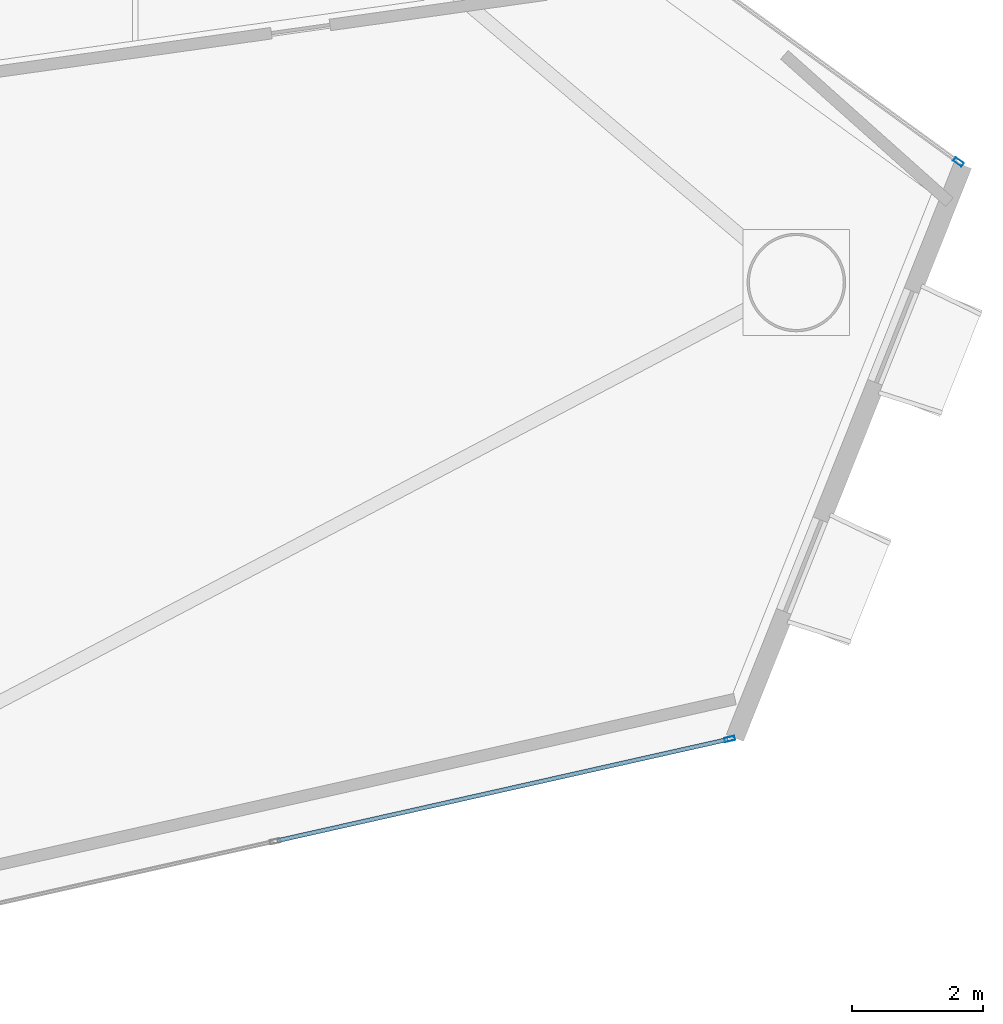
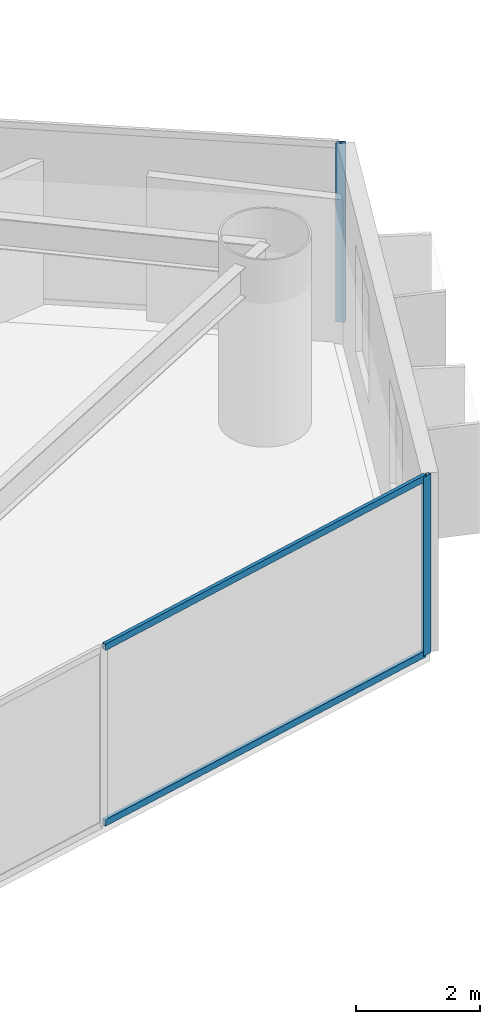
# One storey, part 9 of 18: 4 members, 2 elements without a shape of their own.
"""IFC4 building model written with IfcOpenShell, lengths in metres."""

import ifcopenshell
import ifcopenshell.guid

model = None  # the IFC model being written
_history = None  # IfcOwnerHistory: only IFC2X3 demands one
_inside = {}  # id of a spatial element -> (the spatial element, [elements in it])
_under = {}  # id of a project, library or spatial element -> (it, [spatial elements below it])
_declared = {}  # id of a project -> (the project, [libraries it declares])
_typed = {}  # id of a type object -> (the type object, [elements of that type])
_made_of = {}  # id of a material, layer set ... -> (it, [elements and type objects made of it])


def new_model(schema):
    """Start an empty IFC model of exactly this schema.

    Asked for "IFC4X3", IfcOpenShell would pick the latest addendum, in which some entities
    have other attributes; the version numbers below select the first issue.
    IFC2X3 requires an IfcOwnerHistory on every rooted entity: one is made here for all.
    """
    global model, _history
    if schema == "IFC4X3":
        model = ifcopenshell.file(schema_version=(4, 3, 0, 0))
    else:
        model = ifcopenshell.file(schema=schema)
    _inside.clear()
    _under.clear()
    _declared.clear()
    _typed.clear()
    _made_of.clear()
    _history = None
    if model.schema == "IFC2X3":
        org = make("IfcOrganization", Name="unknown")
        user = make(
            "IfcPersonAndOrganization",
            ThePerson=make("IfcPerson", FamilyName="unknown"),
            TheOrganization=org,
        )
        app = make(
            "IfcApplication",
            ApplicationDeveloper=org,
            Version="unknown",
            ApplicationFullName="unknown",
            ApplicationIdentifier="unknown",
        )
        _history = make(
            "IfcOwnerHistory",
            OwningUser=user,
            OwningApplication=app,
            ChangeAction="ADDED",
            CreationDate=0,
        )
    return model


def make(cls, **values):
    """One entity of the class cls with the attributes given. An attribute that is None is left unset."""
    return model.create_entity(
        cls, **{name: value for name, value in values.items() if value is not None}
    )


def rooted(cls, **values):
    """An entity with a GlobalId (a new one), such as an element, a storey or a relation."""
    return make(cls, GlobalId=ifcopenshell.guid.new(), OwnerHistory=_history, **values)


def si_unit(unit_type, name, prefix=None):
    """IfcSIUnit, for example si_unit("LENGTHUNIT", "METRE", prefix="MILLI")."""
    return make("IfcSIUnit", UnitType=unit_type, Prefix=prefix, Name=name)


def assignment(units):
    """IfcUnitAssignment: the units of a project."""
    return None if units is None else make("IfcUnitAssignment", Units=units)


def point(xyz):
    """IfcCartesianPoint."""
    return None if xyz is None else make("IfcCartesianPoint", Coordinates=xyz)


def direction(xyz):
    """IfcDirection."""
    return None if xyz is None else make("IfcDirection", DirectionRatios=xyz)


def frame(location, z_axis=None, x_axis=None):
    """IfcAxis2Placement3D, a coordinate frame: its origin and axes. An axis left out is left unset."""
    return make(
        "IfcAxis2Placement3D",
        Location=point(location),
        Axis=direction(z_axis),
        RefDirection=direction(x_axis),
    )


def frame_2d(location, x_axis=None):
    """IfcAxis2Placement2D, a coordinate frame in the plane: its origin and x axis."""
    return make(
        "IfcAxis2Placement2D", Location=point(location), RefDirection=direction(x_axis)
    )


def origin():
    """The frame at (0, 0, 0) with its axes left unset."""
    return frame((0.0, 0.0, 0.0))


def origin_2d():
    """The frame at (0, 0) in the plane with its x axis left unset."""
    return frame_2d((0.0, 0.0))


def place(relative_to, where):
    """IfcLocalPlacement: puts the frame where relative to a parent placement (None: the world)."""
    return make(
        "IfcLocalPlacement", PlacementRelTo=relative_to, RelativePlacement=where
    )


def context(
    kind, dimensions, precision=None, world=None, true_north=None, identifier=None
):
    """IfcGeometricRepresentationContext, for example the 3D "Model" context."""
    return make(
        "IfcGeometricRepresentationContext",
        ContextIdentifier=identifier,
        ContextType=kind,
        CoordinateSpaceDimension=dimensions,
        Precision=precision,
        WorldCoordinateSystem=world,
        TrueNorth=true_north,
    )


def subcontext(parent, identifier, kind, view, scale=None):
    """IfcGeometricRepresentationSubContext, for example "Body" below "Model"."""
    return make(
        "IfcGeometricRepresentationSubContext",
        ContextIdentifier=identifier,
        ContextType=kind,
        ParentContext=parent,
        TargetScale=scale,
        TargetView=view,
    )


def project(units=None, contexts=None):
    """IfcProject with its units and contexts."""
    return rooted(
        "IfcProject",
        Name="project",
        RepresentationContexts=contexts,
        UnitsInContext=assignment(units),
    )


def spatial(cls, under=None, at=None, **own):
    """A site, building, storey or space (cls), placed at a placement, below another one or the project."""
    s = rooted(cls, ObjectPlacement=at, **own)
    if under is not None:
        _under.setdefault(under.id(), (under, []))[1].append(s)
    return s


def profile(cls, at=None, kind="AREA", **sizes):
    """A parametric profile (cls). Its sizes go by their IFC names, for example OverallWidth=200.0."""
    return make(cls, ProfileType=kind, Position=at, **sizes)


def hollow_rectangle(**sizes):
    """IfcRectangleHollowProfileDef."""
    return profile("IfcRectangleHollowProfileDef", **sizes)


def extrude(swept, where, along, depth):
    """IfcExtrudedAreaSolid: the profile swept, set in the frame where, extruded along a direction by depth."""
    return make(
        "IfcExtrudedAreaSolid",
        SweptArea=swept,
        Position=where,
        ExtrudedDirection=direction(along),
        Depth=depth,
    )


def shape(context_of_items, identifier, shape_type, items):
    """IfcShapeRepresentation: the items that make up one representation, for example the "Body"."""
    return make(
        "IfcShapeRepresentation",
        ContextOfItems=context_of_items,
        RepresentationIdentifier=identifier,
        RepresentationType=shape_type,
        Items=items,
    )


def material(Name=None, Category=None):
    """IfcMaterial."""
    return make("IfcMaterial", Name=Name, Category=Category)


def layer(
    of_material, thickness, ventilated=None, Name=None, Category=None, Priority=None
):
    """IfcMaterialLayer: one layer of a wall or slab, of a material (None: an air gap)."""
    return make(
        "IfcMaterialLayer",
        Material=of_material,
        LayerThickness=thickness,
        IsVentilated=ventilated,
        Name=Name,
        Category=Category,
        Priority=Priority,
    )


def layer_set(layers, Name=None):
    """IfcMaterialLayerSet."""
    return make("IfcMaterialLayerSet", MaterialLayers=layers, LayerSetName=Name)


def material_profile(
    of_material, cross_section, Name=None, Category=None, Priority=None
):
    """IfcMaterialProfile: a cross section and its material."""
    return make(
        "IfcMaterialProfile",
        Name=Name,
        Material=of_material,
        Profile=cross_section,
        Priority=Priority,
        Category=Category,
    )


def profile_set(profiles, Name=None, composite=None):
    """IfcMaterialProfileSet."""
    return make(
        "IfcMaterialProfileSet",
        Name=Name,
        MaterialProfiles=profiles,
        CompositeProfile=composite,
    )


def made_of(thing, what):
    """Note that an element or type object is made of a material, layer set ...; save() writes the relation."""
    if what is not None:
        _made_of.setdefault(what.id(), (what, []))[1].append(thing)
    return thing


def type_object(cls, material=None, **own):
    """A type object (cls), such as IfcWallType, which elements share."""
    return made_of(rooted(cls, **own), material)


def element(
    cls,
    number,
    at=None,
    inside=None,
    cuts=None,
    type_object=None,
    material=None,
    context=None,
    identifier="Body",
    shape_type=None,
    held_by="IfcProductDefinitionShape",
    body=None,
    shapes=None,
    **own,
):
    """One element of the class cls, such as IfcWall. Its Tag is "e" and its number.

    at: its placement. inside: the storey or other place that contains it. cuts: it is an
    opening in that element (IfcRelVoidsElement). A single representation is given by context,
    identifier, shape_type and body (its items); several are given by shapes. held_by: the class
    of the entity that holds the representations. save() writes the other relations.
    """
    e = rooted(cls, Tag="e%d" % number, ObjectPlacement=at, **own)
    if body is not None:
        shapes = [shape(context, identifier, shape_type, body)]
    if shapes is not None:
        e.Representation = make(held_by, Representations=shapes)
    if inside is not None:
        _inside.setdefault(inside.id(), (inside, []))[1].append(e)
    if cuts is not None:
        rooted(
            "IfcRelVoidsElement", RelatingBuildingElement=cuts, RelatedOpeningElement=e
        )
    if type_object is not None:
        _typed.setdefault(type_object.id(), (type_object, []))[1].append(e)
    return made_of(e, material)


def aggregate(whole, parts):
    """IfcRelAggregates: a whole, such as a stair, and the parts it consists of."""
    return rooted("IfcRelAggregates", RelatingObject=whole, RelatedObjects=parts)


def save(model, path):
    """Write the relations noted so far, then the file.

    IfcRelAggregates (storeys below a building ...), IfcRelContainedInSpatialStructure (elements
    in a storey), IfcRelDefinesByType, IfcRelAssociatesMaterial and IfcRelDeclares: one each for
    every whole, place, type object, material and project.
    """
    for whole, parts in _under.values():
        aggregate(whole, parts)
    for where, things in _inside.values():
        rooted(
            "IfcRelContainedInSpatialStructure",
            RelatedElements=things,
            RelatingStructure=where,
        )
    for kind, things in _typed.values():
        rooted("IfcRelDefinesByType", RelatedObjects=things, RelatingType=kind)
    for what, things in _made_of.values():
        rooted("IfcRelAssociatesMaterial", RelatedObjects=things, RelatingMaterial=what)
    for by, libraries in _declared.values():
        rooted("IfcRelDeclares", RelatingContext=by, RelatedDefinitions=libraries)
    model.write(path)


model = new_model("IFC4")

# Units and contexts
model_context = context("Model", 3, precision=1e-05, world=origin(), true_north=direction((0.0, 1.0)))
body_context = subcontext(model_context, "Body", "Model", "MODEL_VIEW")
ifc_project = project(units=[si_unit("LENGTHUNIT", "METRE"), si_unit("AREAUNIT", "SQUARE_METRE"), si_unit("VOLUMEUNIT", "CUBIC_METRE"), si_unit("PLANEANGLEUNIT", "RADIAN"), si_unit("MASSUNIT", "GRAM", prefix="KILO")], contexts=[model_context])

# Site, building, storey
site_placement = place(None, origin())
site = spatial("IfcSite", under=ifc_project, at=site_placement, CompositionType="ELEMENT")
building_placement = place(site_placement, origin())
building = spatial("IfcBuilding", under=site, at=building_placement, Name="Qianvela Tower", CompositionType="ELEMENT")
storey_placement = place(building_placement, frame((0.0, 0.0, 97.800048828125)))
storey = spatial("IfcBuildingStorey", under=building, at=storey_placement, Name="L24", CompositionType="ELEMENT", Elevation=97.800048828125)

# Curtain wall, member
ifc_material_1 = material(Name="Anodised Architectural Aluminium and Low-E Glass", Category="aluminium")
ifc_layer = layer(ifc_material_1, 0.169921875)
ifc_layer_set = layer_set([ifc_layer], Name="Anodised Architectural Aluminium and Low-E Glass")
curtain_wall_type = type_object("IfcCurtainWallType", Name="CW-COLIV-Z34", PredefinedType="USERDEFINED", material=ifc_layer_set)
curtain_wall_1_placement = place(storey_placement, origin())
curtain_wall_1 = element("IfcCurtainWall", 1, at=curtain_wall_1_placement, inside=storey, type_object=curtain_wall_type, Name="L24 CW-COLIV-Z34 Curtain Wall 02A", ObjectType="CURTAIN_WALL_SYSTEM", PredefinedType="USERDEFINED")
ifc_material_2 = material(Name="Anodised Architectural Aluminium 6063-T6", Category="aluminium")
ifc_material_profile_1 = material_profile(ifc_material_2, hollow_rectangle(XDim=0.06494140625, YDim=0.159912109375, WallThickness=0.0048828125, at=origin_2d()), Name="ALU-MULL-65x160")
ifc_profile_set_1 = profile_set([ifc_material_profile_1], Name="Anodised Architectural Aluminium 6063-T6")
member_type_1 = type_object("IfcMemberType", Name="CW-COLIV-Z34-MULL", PredefinedType="MULLION", material=ifc_profile_set_1)
member_1_placement = place(storey_placement, frame((59.662109375, 25.79296875, 0.0), z_axis=(0.0, 0.0, 1.0), x_axis=(-0.588251931147, -0.808677726602, 0.0)))
member_1 = element("IfcMember", 2, at=member_1_placement, type_object=member_type_1, Name="CW-4 mullion 1", PredefinedType="MULLION", context=body_context, shape_type="SweptSolid", body=[
    extrude(hollow_rectangle(XDim=0.06494140625, YDim=0.159912109375, WallThickness=0.0048828125, at=origin_2d()), origin(), (0.0, 0.0, 1.0), 3.52001953125),
])
aggregate(curtain_wall_1, [member_1])

# Curtain wall, members
curtain_wall_2_placement = place(storey_placement, origin())
curtain_wall_2 = element("IfcCurtainWall", 3, at=curtain_wall_2_placement, inside=storey, type_object=curtain_wall_type, Name="L24 CW-COLIV-Z34 Curtain Wall 06C", ObjectType="CURTAIN_WALL_SYSTEM", PredefinedType="USERDEFINED")
member_2_placement = place(storey_placement, frame((56.1787109375, 17.00927734375, 0.0), z_axis=(0.0, 0.0, 1.0), x_axis=(-0.219382412663, 0.975638948082, 0.0)))
member_2 = element("IfcMember", 4, at=member_2_placement, type_object=member_type_1, Name="CW-4 mullion 3", PredefinedType="MULLION", context=body_context, shape_type="SweptSolid", body=[
    extrude(hollow_rectangle(XDim=0.06494140625, YDim=0.159912109375, WallThickness=0.0048828125, at=origin_2d()), origin(), (0.0, 0.0, 1.0), 3.52001953125),
])
ifc_material_3 = material(Name="Anodised Architectural Aluminium 6063-T6", Category="aluminium")
ifc_material_profile_2 = material_profile(ifc_material_3, hollow_rectangle(XDim=0.06494140625, YDim=0.1298828125, WallThickness=0.00439453125, at=origin_2d()), Name="ALU-TRAN-65x130")
ifc_profile_set_2 = profile_set([ifc_material_profile_2], Name="Anodised Architectural Aluminium 6063-T6")
member_type_2 = type_object("IfcMemberType", Name="CW-COLIV-Z34-TRAN", PredefinedType="USERDEFINED", material=ifc_profile_set_2)
member_3_placement = place(storey_placement, frame((49.29248046875, 15.4609375, 0.032470703125), z_axis=(0.975640258845, 0.219376583348, 0.0), x_axis=(-0.219376583348, 0.975640258845, 0.0)))
member_3 = element("IfcMember", 5, at=member_3_placement, type_object=member_type_2, Name="CW-4 transom 2.1", ObjectType="TRANSOM", PredefinedType="USERDEFINED", context=body_context, shape_type="SweptSolid", body=[
    extrude(hollow_rectangle(XDim=0.06494140625, YDim=0.1298828125, WallThickness=0.00439453125, at=origin_2d()), origin(), (0.0, 0.0, 1.0), 7.025634765625),
])
member_4_placement = place(storey_placement, frame((49.29248046875, 15.4609375, 3.487548828125), z_axis=(0.975640258845, 0.219376583348, 0.0), x_axis=(-0.219376583348, 0.975640258845, 0.0)))
member_4 = element("IfcMember", 6, at=member_4_placement, type_object=member_type_2, Name="CW-4 transom 2.2", ObjectType="TRANSOM", PredefinedType="USERDEFINED", context=body_context, shape_type="SweptSolid", body=[
    extrude(hollow_rectangle(XDim=0.06494140625, YDim=0.1298828125, WallThickness=0.00439453125, at=origin_2d()), origin(), (0.0, 0.0, 1.0), 7.025634765625),
])
aggregate(curtain_wall_2, [member_2, member_3, member_4])

save(model, "model.ifc")
